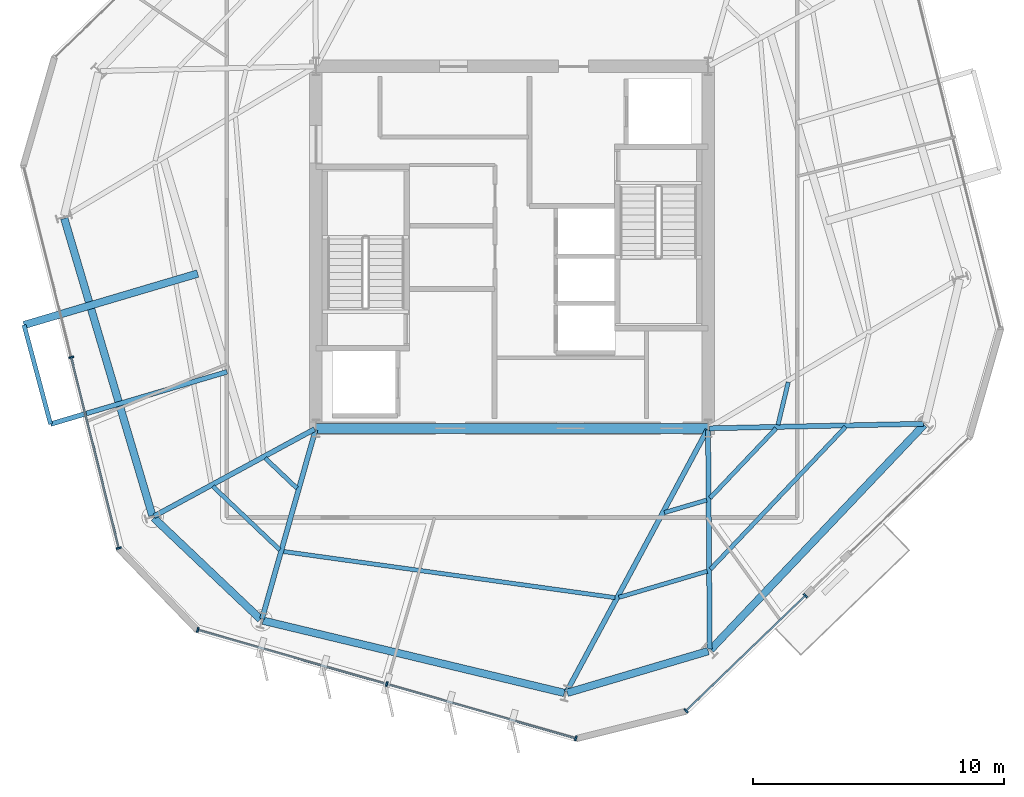
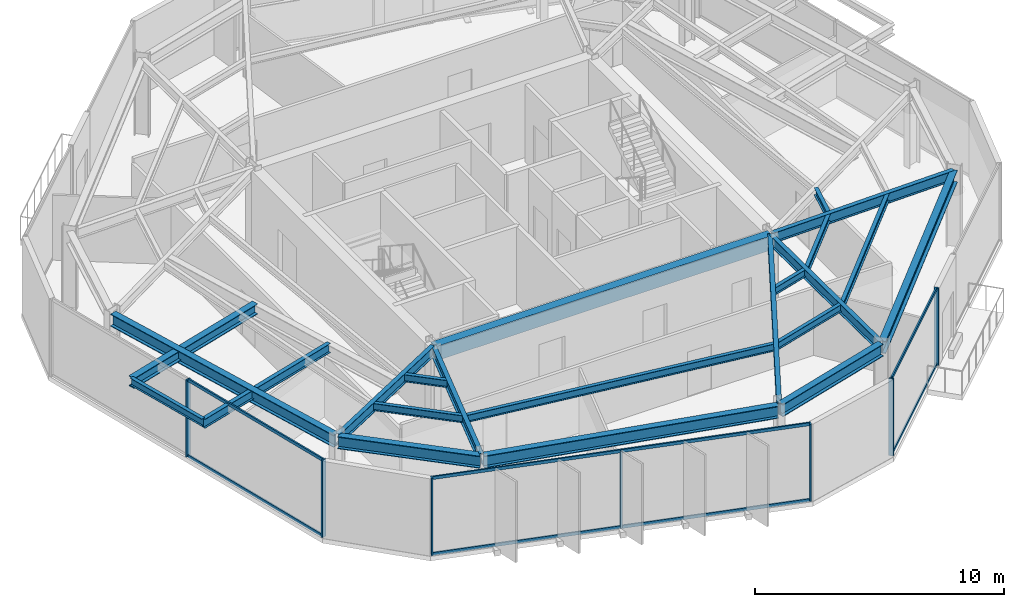
# One storey, part 2 of 10: 22 beams, 15 members, 3 elements without a shape of their own.
"""IFC4 building model written with IfcOpenShell, lengths in metres."""

from ifc_helpers import new_model, si_unit, direction, frame, origin, origin_2d, place, context, subcontext, project, spatial, rectangle, i_section, extrude, material, layer, layer_set, material_profile, profile_set, type_object, element, aggregate, save


model = new_model("IFC4")

# Units and contexts
model_context = context("Model", 3, precision=1e-05, world=origin(), true_north=direction((0.0, 1.0)))
body_context = subcontext(model_context, "Body", "Model", "MODEL_VIEW")
ifc_project = project(units=[si_unit("LENGTHUNIT", "METRE"), si_unit("AREAUNIT", "SQUARE_METRE"), si_unit("VOLUMEUNIT", "CUBIC_METRE"), si_unit("PLANEANGLEUNIT", "RADIAN"), si_unit("MASSUNIT", "GRAM", prefix="KILO")], contexts=[model_context])

# Site, building, storey
site_placement = place(None, origin())
site = spatial("IfcSite", under=ifc_project, at=site_placement, CompositionType="ELEMENT")
building_placement = place(site_placement, origin())
building = spatial("IfcBuilding", under=site, at=building_placement, Name="Kranzbogen Civic Tower", CompositionType="ELEMENT")
storey_placement = place(building_placement, frame((0.0, 0.0, 200.800048828125)))
storey = spatial("IfcBuildingStorey", under=building, at=storey_placement, Name="L48", CompositionType="ELEMENT", Elevation=200.800048828125)

# Beams
ifc_material_1 = material(Name="Steel S355", Category="steel")
ifc_material_profile_1 = material_profile(ifc_material_1, i_section(OverallWidth=0.18994140625, OverallDepth=0.449951171875, WebThickness=0.009521484375, FlangeThickness=0.0146484375, at=origin_2d()), Name="IPE 450")
ifc_profile_set_1 = profile_set([ifc_material_profile_1], Name="Steel S355")
beam_type_1 = type_object("IfcBeamType", Name="Braced Terrace Edge Beam IPE 450", PredefinedType="BEAM", material=ifc_profile_set_1)
beam_1_placement = place(storey_placement, frame((13.662109375, 20.049072265625, 3.52490234375), z_axis=(-0.958810225473, -0.28404744591, 0.0), x_axis=(0.28404744591, -0.958810225473, 0.0)))
element("IfcBeam", 1, at=beam_1_placement, inside=storey, type_object=beam_type_1, Name="L49 back-spanned terrace beam L49-TB2-2", PredefinedType="BEAM", context=body_context, shape_type="SweptSolid", body=[
    extrude(i_section(OverallWidth=0.18994140625, OverallDepth=0.449951171875, WebThickness=0.009521484375, FlangeThickness=0.0146484375, at=origin_2d()), origin(), (0.0, 0.0, 1.0), 7.319580078125),
])
ifc_material_2 = material(Name="Concrete C40/50", Category="concrete")
ifc_material_profile_2 = material_profile(ifc_material_2, rectangle(XDim=0.39990234375, YDim=0.699951171875, at=origin_2d()), Name="RC-BM 400x700")
ifc_profile_set_2 = profile_set([ifc_material_profile_2], Name="Concrete C40/50")
beam_type_2 = type_object("IfcBeamType", Name="Core Coupling Lintel Beam 400x700", PredefinedType="LINTEL", material=ifc_profile_set_2)
beam_2_placement = place(storey_placement, frame((17.199951171875, 17.800048828125, 3.429931640625), z_axis=(1.0, 0.0, 0.0), x_axis=(0.0, 1.0, 0.0)))
element("IfcBeam", 2, at=beam_2_placement, inside=storey, type_object=beam_type_2, Name="L48 core South coupling lintel beam", PredefinedType="LINTEL", context=body_context, shape_type="SweptSolid", body=[
    extrude(rectangle(XDim=0.39990234375, YDim=0.699951171875, at=origin_2d()), origin(), (0.0, 0.0, 1.0), 15.60009765625),
])

# Curtain wall, members
ifc_material_3 = material(Name="Pale Anodised Aluminium", Category="aluminium")
ifc_layer = layer(ifc_material_3, 0.219970703125, Name="Pale Anodised Aluminium")
ifc_layer_set = layer_set([ifc_layer], Name="Pale Anodised Aluminium")
curtain_wall_type = type_object("IfcCurtainWallType", Name="Zone 3 Stick Curtain Wall System CW-04", PredefinedType="USERDEFINED", material=ifc_layer_set)
curtain_wall_1_placement = place(storey_placement, origin())
curtain_wall_1 = element("IfcCurtainWall", 3, at=curtain_wall_1_placement, inside=storey, type_object=curtain_wall_type, Name="L48 curtain wall CW-L48-F3", ObjectType="STICK CURTAIN WALL", PredefinedType="USERDEFINED")
ifc_material_profile_3 = material_profile(ifc_material_3, rectangle(XDim=0.070068359375, YDim=0.199951171875, at=origin_2d()), Name="ALU-M 70x200")
ifc_profile_set_3 = profile_set([ifc_material_profile_3], Name="Pale Anodised Aluminium")
member_type_1 = type_object("IfcMemberType", Name="Curtain Wall Mullion ALU-M 70x200", PredefinedType="MULLION", material=ifc_profile_set_3)
member_1_placement = place(storey_placement, frame((7.465087890625, 20.6279296875, 0.0), z_axis=(0.0, 0.0, 1.0), x_axis=(0.241906467442, -0.970299572817, 0.0)))
member_1 = element("IfcMember", 4, at=member_1_placement, type_object=member_type_1, Name="CW-04 mullion 2", PredefinedType="MULLION", context=body_context, shape_type="SweptSolid", body=[
    extrude(rectangle(XDim=0.070068359375, YDim=0.199951171875, at=origin_2d()), origin(), (0.0, 0.0, 1.0), 3.780029296875),
])
member_2_placement = place(storey_placement, frame((9.357666015625, 13.0361328125, 0.0), z_axis=(0.0, 0.0, 1.0), x_axis=(0.241906467442, -0.970299572817, 0.0)))
member_2 = element("IfcMember", 5, at=member_2_placement, type_object=member_type_1, Name="CW-04 mullion 3", PredefinedType="MULLION", context=body_context, shape_type="SweptSolid", body=[
    extrude(rectangle(XDim=0.070068359375, YDim=0.199951171875, at=origin_2d()), origin(), (0.0, 0.0, 1.0), 3.780029296875),
])

curtain_wall_2_placement = place(storey_placement, origin())
curtain_wall_2 = element("IfcCurtainWall", 6, at=curtain_wall_2_placement, inside=storey, type_object=curtain_wall_type, Name="L48 curtain wall CW-L48-F4", ObjectType="STICK CURTAIN WALL", PredefinedType="USERDEFINED")
member_3_placement = place(storey_placement, frame((12.497802734375, 9.78466796875, 0.0), z_axis=(0.0, 0.0, 1.0), x_axis=(0.961276121822, -0.275587041813, 0.0)))
member_3 = element("IfcMember", 7, at=member_3_placement, type_object=member_type_1, Name="CW-04 mullion 1", PredefinedType="MULLION", context=body_context, shape_type="SweptSolid", body=[
    extrude(rectangle(XDim=0.070068359375, YDim=0.199951171875, at=origin_2d()), origin(), (0.0, 0.0, 1.0), 3.780029296875),
])
member_4_placement = place(storey_placement, frame((20.01904296875, 7.62841796875, 0.0), z_axis=(0.0, 0.0, 1.0), x_axis=(0.961276121822, -0.275587041813, 0.0)))
member_4 = element("IfcMember", 8, at=member_4_placement, type_object=member_type_1, Name="CW-04 mullion 2", PredefinedType="MULLION", context=body_context, shape_type="SweptSolid", body=[
    extrude(rectangle(XDim=0.070068359375, YDim=0.199951171875, at=origin_2d()), origin(), (0.0, 0.0, 1.0), 3.780029296875),
])
member_5_placement = place(storey_placement, frame((27.540283203125, 5.47216796875, 0.0), z_axis=(0.0, 0.0, 1.0), x_axis=(0.961276121822, -0.275587041813, 0.0)))
member_5 = element("IfcMember", 9, at=member_5_placement, type_object=member_type_1, Name="CW-04 mullion 3", PredefinedType="MULLION", context=body_context, shape_type="SweptSolid", body=[
    extrude(rectangle(XDim=0.070068359375, YDim=0.199951171875, at=origin_2d()), origin(), (0.0, 0.0, 1.0), 3.780029296875),
])

curtain_wall_3_placement = place(storey_placement, origin())
curtain_wall_3 = element("IfcCurtainWall", 10, at=curtain_wall_3_placement, inside=storey, type_object=curtain_wall_type, Name="L48 curtain wall CW-L48-F5-S1", ObjectType="STICK CURTAIN WALL", PredefinedType="USERDEFINED")
member_6_placement = place(storey_placement, frame((31.925537109375, 6.56494140625, 0.0), z_axis=(0.0, 0.0, 1.0), x_axis=(0.719321190897, 0.694677640583, 0.0)))
member_6 = element("IfcMember", 11, at=member_6_placement, type_object=member_type_1, Name="CW-04 mullion 1", PredefinedType="MULLION", context=body_context, shape_type="SweptSolid", body=[
    extrude(rectangle(XDim=0.070068359375, YDim=0.199951171875, at=origin_2d()), origin(), (0.0, 0.0, 1.0), 3.780029296875),
])
member_7_placement = place(storey_placement, frame((36.66943359375, 11.146240234375, 0.0), z_axis=(0.0, 0.0, 1.0), x_axis=(0.719321190897, 0.694677640583, 0.0)))
member_7 = element("IfcMember", 12, at=member_7_placement, type_object=member_type_1, Name="CW-04 mullion 2", PredefinedType="MULLION", context=body_context, shape_type="SweptSolid", body=[
    extrude(rectangle(XDim=0.070068359375, YDim=0.199951171875, at=origin_2d()), origin(), (0.0, 0.0, 1.0), 3.780029296875),
])

# Member
ifc_material_profile_4 = material_profile(ifc_material_3, rectangle(XDim=0.070068359375, YDim=0.14990234375, at=origin_2d()), Name="ALU-T 70x150")
ifc_profile_set_4 = profile_set([ifc_material_profile_4], Name="Pale Anodised Aluminium")
member_type_2 = type_object("IfcMemberType", Name="Curtain Wall Transom ALU-T 70x150", PredefinedType="USERDEFINED", material=ifc_profile_set_4)
member_8_placement = place(storey_placement, frame((7.47216796875, 20.598876953125, 0.030029296875), z_axis=(0.241928896486, -0.970293980732, 0.0), x_axis=(0.970293980732, 0.241928896486, 0.0)))
member_8 = element("IfcMember", 13, at=member_8_placement, type_object=member_type_2, Name="CW-04 transom 2.1", ObjectType="TRANSOM", PredefinedType="USERDEFINED", context=body_context, shape_type="SweptSolid", body=[
    extrude(rectangle(XDim=0.070068359375, YDim=0.14990234375, at=origin_2d()), origin(), (0.0, 0.0, 1.0), 7.764404296875),
])

member_9_placement = place(storey_placement, frame((7.47216796875, 20.598876953125, 3.75), z_axis=(0.241928896486, -0.970293980732, 0.0), x_axis=(0.970293980732, 0.241928896486, 0.0)))
member_9 = element("IfcMember", 14, at=member_9_placement, type_object=member_type_2, Name="CW-04 transom 2.2", ObjectType="TRANSOM", PredefinedType="USERDEFINED", context=body_context, shape_type="SweptSolid", body=[
    extrude(rectangle(XDim=0.070068359375, YDim=0.14990234375, at=origin_2d()), origin(), (0.0, 0.0, 1.0), 7.764404296875),
])

aggregate(curtain_wall_1, [member_1, member_2, member_8, member_9])

member_10_placement = place(storey_placement, frame((12.526611328125, 9.7763671875, 0.030029296875), z_axis=(0.961279133265, -0.27557653737, 0.0), x_axis=(0.27557653737, 0.961279133265, 0.0)))
member_10 = element("IfcMember", 15, at=member_10_placement, type_object=member_type_2, Name="CW-04 transom 1.1", ObjectType="TRANSOM", PredefinedType="USERDEFINED", context=body_context, shape_type="SweptSolid", body=[
    extrude(rectangle(XDim=0.070068359375, YDim=0.14990234375, at=origin_2d()), origin(), (0.0, 0.0, 1.0), 7.76416015625),
])

member_11_placement = place(storey_placement, frame((12.526611328125, 9.7763671875, 3.75), z_axis=(0.961279133265, -0.27557653737, 0.0), x_axis=(0.27557653737, 0.961279133265, 0.0)))
member_11 = element("IfcMember", 16, at=member_11_placement, type_object=member_type_2, Name="CW-04 transom 1.2", ObjectType="TRANSOM", PredefinedType="USERDEFINED", context=body_context, shape_type="SweptSolid", body=[
    extrude(rectangle(XDim=0.070068359375, YDim=0.14990234375, at=origin_2d()), origin(), (0.0, 0.0, 1.0), 7.76416015625),
])

member_12_placement = place(storey_placement, frame((20.0478515625, 7.6201171875, 0.030029296875), z_axis=(0.961276745212, -0.275584867355, 0.0), x_axis=(0.275584867355, 0.961276745212, 0.0)))
member_12 = element("IfcMember", 17, at=member_12_placement, type_object=member_type_2, Name="CW-04 transom 2.1", ObjectType="TRANSOM", PredefinedType="USERDEFINED", context=body_context, shape_type="SweptSolid", body=[
    extrude(rectangle(XDim=0.070068359375, YDim=0.14990234375, at=origin_2d()), origin(), (0.0, 0.0, 1.0), 7.763916015625),
])

member_13_placement = place(storey_placement, frame((20.0478515625, 7.6201171875, 3.75), z_axis=(0.961276745212, -0.275584867355, 0.0), x_axis=(0.275584867355, 0.961276745212, 0.0)))
member_13 = element("IfcMember", 18, at=member_13_placement, type_object=member_type_2, Name="CW-04 transom 2.2", ObjectType="TRANSOM", PredefinedType="USERDEFINED", context=body_context, shape_type="SweptSolid", body=[
    extrude(rectangle(XDim=0.070068359375, YDim=0.14990234375, at=origin_2d()), origin(), (0.0, 0.0, 1.0), 7.763916015625),
])

aggregate(curtain_wall_2, [member_3, member_4, member_5, member_10, member_11, member_12, member_13])

member_14_placement = place(storey_placement, frame((31.947265625, 6.585693359375, 0.030029296875), z_axis=(0.719328070207, 0.694670517161, 0.0), x_axis=(-0.694670517161, 0.719328070207, 0.0)))
member_14 = element("IfcMember", 19, at=member_14_placement, type_object=member_type_2, Name="CW-04 transom 1.1", ObjectType="TRANSOM", PredefinedType="USERDEFINED", context=body_context, shape_type="SweptSolid", body=[
    extrude(rectangle(XDim=0.070068359375, YDim=0.14990234375, at=origin_2d()), origin(), (0.0, 0.0, 1.0), 6.534912109375),
])

member_15_placement = place(storey_placement, frame((31.947265625, 6.585693359375, 3.75), z_axis=(0.719328070207, 0.694670517161, 0.0), x_axis=(-0.694670517161, 0.719328070207, 0.0)))
member_15 = element("IfcMember", 20, at=member_15_placement, type_object=member_type_2, Name="CW-04 transom 1.2", ObjectType="TRANSOM", PredefinedType="USERDEFINED", context=body_context, shape_type="SweptSolid", body=[
    extrude(rectangle(XDim=0.070068359375, YDim=0.14990234375, at=origin_2d()), origin(), (0.0, 0.0, 1.0), 6.534912109375),
])

aggregate(curtain_wall_3, [member_6, member_7, member_14, member_15])

# Beams
ifc_material_profile_5 = material_profile(ifc_material_1, i_section(OverallWidth=0.300048828125, OverallDepth=0.5, WebThickness=0.014404296875, FlangeThickness=0.028076171875, at=origin_2d()), Name="HEB 500")
ifc_profile_set_5 = profile_set([ifc_material_profile_5], Name="Steel S355")
beam_type_3 = type_object("IfcBeamType", Name="Perimeter Tube Spandrel Beam HEB 500", PredefinedType="SPANDREL", material=ifc_profile_set_5)
beam_3_placement = place(storey_placement, frame((12.49609375, 23.9580078125, 3.5), z_axis=(-0.958788882695, -0.284119479128, 0.0), x_axis=(0.284119479128, -0.958788882695, 0.0)))
element("IfcBeam", 21, at=beam_3_placement, inside=storey, type_object=beam_type_3, Name="L49 back-spanned terrace beam L49-TB2-1", PredefinedType="SPANDREL", context=body_context, shape_type="SweptSolid", body=[
    extrude(i_section(OverallWidth=0.300048828125, OverallDepth=0.5, WebThickness=0.014404296875, FlangeThickness=0.028076171875, at=origin_2d()), origin(), (0.0, 0.0, 1.0), 7.205078125),
])
ifc_material_profile_6 = material_profile(ifc_material_1, i_section(OverallWidth=0.300048828125, OverallDepth=0.60009765625, WebThickness=0.015380859375, FlangeThickness=0.030029296875, at=origin_2d()), Name="HEB 600")
ifc_profile_set_6 = profile_set([ifc_material_profile_6], Name="Steel S355")
beam_type_4 = type_object("IfcBeamType", Name="Perimeter Tube Spandrel Beam HEB 600", PredefinedType="SPANDREL", material=ifc_profile_set_6)
beam_4_placement = place(storey_placement, frame((10.7509765625, 14.235107421875, 3.47998046875), z_axis=(0.725245206788, -0.688490660816, 0.0), x_axis=(0.688490660816, 0.725245206788, 0.0)))
element("IfcBeam", 22, at=beam_4_placement, inside=storey, type_object=beam_type_4, Name="L48 perimeter spandrel beam 01", PredefinedType="SPANDREL", context=body_context, shape_type="SweptSolid", body=[
    extrude(i_section(OverallWidth=0.300048828125, OverallDepth=0.60009765625, WebThickness=0.015380859375, FlangeThickness=0.030029296875, at=origin_2d()), origin(), (0.0, 0.0, 1.0), 5.85205078125),
])
beam_5_placement = place(storey_placement, frame((15.096923828125, 10.15087890625, 3.47998046875), z_axis=(0.972377592092, -0.233413406637, 0.0), x_axis=(0.233413406637, 0.972377592092, 0.0)))
element("IfcBeam", 23, at=beam_5_placement, inside=storey, type_object=beam_type_4, Name="L48 perimeter spandrel beam 02", PredefinedType="SPANDREL", context=body_context, shape_type="SweptSolid", body=[
    extrude(i_section(OverallWidth=0.300048828125, OverallDepth=0.60009765625, WebThickness=0.015380859375, FlangeThickness=0.030029296875, at=origin_2d()), origin(), (0.0, 0.0, 1.0), 12.32568359375),
])
beam_6_placement = place(storey_placement, frame((27.197998046875, 7.277099609375, 3.47998046875), z_axis=(0.9588296723, 0.283981794341, 0.0), x_axis=(-0.283981794341, 0.9588296723, 0.0)))
element("IfcBeam", 24, at=beam_6_placement, inside=storey, type_object=beam_type_4, Name="L48 perimeter spandrel beam 03", PredefinedType="SPANDREL", context=body_context, shape_type="SweptSolid", body=[
    extrude(i_section(OverallWidth=0.300048828125, OverallDepth=0.60009765625, WebThickness=0.015380859375, FlangeThickness=0.030029296875, at=origin_2d()), origin(), (0.0, 0.0, 1.0), 5.85205078125),
])
beam_7_placement = place(storey_placement, frame((32.907958984375, 9.0, 3.47998046875), z_axis=(0.688373497874, 0.725356414065, 0.0), x_axis=(-0.725356414065, 0.688373497874, 0.0)))
element("IfcBeam", 25, at=beam_7_placement, inside=storey, type_object=beam_type_4, Name="L48 perimeter spandrel beam 04", PredefinedType="SPANDREL", context=body_context, shape_type="SweptSolid", body=[
    extrude(i_section(OverallWidth=0.300048828125, OverallDepth=0.60009765625, WebThickness=0.015380859375, FlangeThickness=0.030029296875, at=origin_2d()), origin(), (0.0, 0.0, 1.0), 12.324951171875),
])
beam_8_placement = place(storey_placement, frame((7.18896484375, 26.15087890625, 3.47998046875), z_axis=(0.284064048956, -0.958805306666, 0.0), x_axis=(0.958805306666, 0.284064048956, 0.0)))
element("IfcBeam", 26, at=beam_8_placement, inside=storey, type_object=beam_type_4, Name="L48 perimeter spandrel beam 12", PredefinedType="SPANDREL", context=body_context, shape_type="SweptSolid", body=[
    extrude(i_section(OverallWidth=0.300048828125, OverallDepth=0.60009765625, WebThickness=0.015380859375, FlangeThickness=0.030029296875, at=origin_2d()), origin(), (0.0, 0.0, 1.0), 12.32470703125),
])
ifc_material_profile_7 = material_profile(ifc_material_1, i_section(OverallWidth=0.199951171875, OverallDepth=0.5, WebThickness=0.01025390625, FlangeThickness=0.01611328125, at=origin_2d()), Name="IPE 500")
ifc_profile_set_7 = profile_set([ifc_material_profile_7], Name="Steel S355")
beam_type_5 = type_object("IfcBeamType", Name="Radial Tower Floor Girder IPE 500", PredefinedType="BEAM", material=ifc_profile_set_7)
beam_9_placement = place(storey_placement, frame((10.760009765625, 14.304931640625, 3.530029296875), z_axis=(0.878919430102, 0.476970266777, 0.0), x_axis=(-0.476970266777, 0.878919430102, 0.0)))
element("IfcBeam", 27, at=beam_9_placement, inside=storey, type_object=beam_type_5, Name="L48 radial floor girder 01", PredefinedType="BEAM", context=body_context, shape_type="SweptSolid", body=[
    extrude(i_section(OverallWidth=0.199951171875, OverallDepth=0.5, WebThickness=0.01025390625, FlangeThickness=0.01611328125, at=origin_2d()), origin(), (0.0, 0.0, 1.0), 7.266845703125),
])
beam_10_placement = place(storey_placement, frame((15.054931640625, 10.222900390625, 3.530029296875), z_axis=(0.272455078988, 0.962168503919, 0.0), x_axis=(-0.962168503919, 0.272455078988, 0.0)))
element("IfcBeam", 28, at=beam_10_placement, inside=storey, type_object=beam_type_5, Name="L48 radial floor girder 02", PredefinedType="BEAM", context=body_context, shape_type="SweptSolid", body=[
    extrude(i_section(OverallWidth=0.199951171875, OverallDepth=0.5, WebThickness=0.01025390625, FlangeThickness=0.01611328125, at=origin_2d()), origin(), (0.0, 0.0, 1.0), 7.814697265625),
])
beam_11_placement = place(storey_placement, frame((27.16796875, 7.31298828125, 3.530029296875), z_axis=(0.473160413549, 0.880976289721, 0.0), x_axis=(-0.880976289721, 0.473160413549, 0.0)))
element("IfcBeam", 29, at=beam_11_placement, inside=storey, type_object=beam_type_5, Name="L48 radial floor girder 03", PredefinedType="BEAM", context=body_context, shape_type="SweptSolid", body=[
    extrude(i_section(OverallWidth=0.199951171875, OverallDepth=0.5, WebThickness=0.01025390625, FlangeThickness=0.01611328125, at=origin_2d()), origin(), (0.0, 0.0, 1.0), 11.84375),
])
beam_12_placement = place(storey_placement, frame((32.866943359375, 9.01611328125, 3.530029296875), z_axis=(-0.007667756557, 0.999970602323, 0.0), x_axis=(-0.999970602323, -0.007667756557, 0.0)))
element("IfcBeam", 30, at=beam_12_placement, inside=storey, type_object=beam_type_5, Name="L48 radial floor girder 04", PredefinedType="BEAM", context=body_context, shape_type="SweptSolid", body=[
    extrude(i_section(OverallWidth=0.199951171875, OverallDepth=0.5, WebThickness=0.01025390625, FlangeThickness=0.01611328125, at=origin_2d()), origin(), (0.0, 0.0, 1.0), 8.72412109375),
])
beam_13_placement = place(storey_placement, frame((41.373046875, 17.98291015625, 3.530029296875), z_axis=(-0.99977183191, -0.021360808018, 0.0), x_axis=(0.021360808018, -0.99977183191, 0.0)))
element("IfcBeam", 31, at=beam_13_placement, inside=storey, type_object=beam_type_5, Name="L48 radial floor girder 05", PredefinedType="BEAM", context=body_context, shape_type="SweptSolid", body=[
    extrude(i_section(OverallWidth=0.199951171875, OverallDepth=0.5, WebThickness=0.01025390625, FlangeThickness=0.01611328125, at=origin_2d()), origin(), (0.0, 0.0, 1.0), 8.514892578125),
])
ifc_material_profile_8 = material_profile(ifc_material_1, i_section(OverallWidth=0.169921875, OverallDepth=0.360107421875, WebThickness=0.008056640625, FlangeThickness=0.0126953125, at=origin_2d()), Name="IPE 360")
ifc_profile_set_8 = profile_set([ifc_material_profile_8], Name="Steel S355")
beam_type_6 = type_object("IfcBeamType", Name="Secondary Composite Floor Joist IPE 360", PredefinedType="JOIST", material=ifc_profile_set_8)
beam_14_placement = place(storey_placement, frame((13.10302734375, 15.489990234375, 3.599853515625), z_axis=(0.725300648604, -0.688432254572, 0.0), x_axis=(0.688432254572, 0.725300648604, 0.0)))
element("IfcBeam", 32, at=beam_14_placement, inside=storey, type_object=beam_type_6, Name="L48 secondary floor joist 1.01", PredefinedType="JOIST", context=body_context, shape_type="SweptSolid", body=[
    extrude(i_section(OverallWidth=0.169921875, OverallDepth=0.360107421875, WebThickness=0.008056640625, FlangeThickness=0.0126953125, at=origin_2d()), origin(), (0.0, 0.0, 1.0), 3.661865234375),
])
beam_15_placement = place(storey_placement, frame((15.179931640625, 16.616943359375, 3.599853515625), z_axis=(0.725479767774, -0.688243493649, 0.0), x_axis=(0.688243493649, 0.725479767774, 0.0)))
element("IfcBeam", 33, at=beam_15_placement, inside=storey, type_object=beam_type_6, Name="L48 secondary floor joist 2.01", PredefinedType="JOIST", context=body_context, shape_type="SweptSolid", body=[
    extrude(i_section(OverallWidth=0.169921875, OverallDepth=0.360107421875, WebThickness=0.008056640625, FlangeThickness=0.0126953125, at=origin_2d()), origin(), (0.0, 0.0, 1.0), 1.75048828125),
])
beam_16_placement = place(storey_placement, frame((15.89599609375, 12.903076171875, 3.599853515625), z_axis=(0.990445837232, -0.137902296968, 0.0), x_axis=(0.137902296968, 0.990445837232, 0.0)))
element("IfcBeam", 34, at=beam_16_placement, inside=storey, type_object=beam_type_6, Name="L48 secondary floor joist 1.02", PredefinedType="JOIST", context=body_context, shape_type="SweptSolid", body=[
    extrude(i_section(OverallWidth=0.169921875, OverallDepth=0.360107421875, WebThickness=0.008056640625, FlangeThickness=0.0126953125, at=origin_2d()), origin(), (0.0, 0.0, 1.0), 13.329345703125),
])
beam_17_placement = place(storey_placement, frame((29.25390625, 11.076904296875, 3.599853515625), z_axis=(0.958843823165, 0.283934011309, 0.0), x_axis=(-0.283934011309, 0.958843823165, 0.0)))
element("IfcBeam", 35, at=beam_17_placement, inside=storey, type_object=beam_type_6, Name="L48 secondary floor joist 1.03", PredefinedType="JOIST", context=body_context, shape_type="SweptSolid", body=[
    extrude(i_section(OverallWidth=0.169921875, OverallDepth=0.360107421875, WebThickness=0.008056640625, FlangeThickness=0.0126953125, at=origin_2d()), origin(), (0.0, 0.0, 1.0), 3.662841796875),
])
beam_18_placement = place(storey_placement, frame((31.06591796875, 14.449951171875, 3.599853515625), z_axis=(0.958871214757, 0.283841493638, 0.0), x_axis=(-0.283841493638, 0.958871214757, 0.0)))
element("IfcBeam", 36, at=beam_18_placement, inside=storey, type_object=beam_type_6, Name="L48 secondary floor joist 2.03", PredefinedType="JOIST", context=body_context, shape_type="SweptSolid", body=[
    extrude(i_section(OverallWidth=0.169921875, OverallDepth=0.360107421875, WebThickness=0.008056640625, FlangeThickness=0.0126953125, at=origin_2d()), origin(), (0.0, 0.0, 1.0), 1.751220703125),
])
beam_19_placement = place(storey_placement, frame((32.89794921875, 12.197998046875, 3.599853515625), z_axis=(0.688282381634, 0.725442873789, 0.0), x_axis=(-0.725442873789, 0.688282381634, 0.0)))
element("IfcBeam", 37, at=beam_19_placement, inside=storey, type_object=beam_type_6, Name="L48 secondary floor joist 1.04", PredefinedType="JOIST", context=body_context, shape_type="SweptSolid", body=[
    extrude(i_section(OverallWidth=0.169921875, OverallDepth=0.360107421875, WebThickness=0.008056640625, FlangeThickness=0.0126953125, at=origin_2d()), origin(), (0.0, 0.0, 1.0), 7.804931640625),
])
beam_20_placement = place(storey_placement, frame((32.876953125, 15.028076171875, 3.599853515625), z_axis=(0.688175084876, 0.725544659243, 0.0), x_axis=(-0.725544659243, 0.688175084876, 0.0)))
element("IfcBeam", 38, at=beam_20_placement, inside=storey, type_object=beam_type_6, Name="L48 secondary floor joist 2.04", PredefinedType="JOIST", context=body_context, shape_type="SweptSolid", body=[
    extrude(i_section(OverallWidth=0.169921875, OverallDepth=0.360107421875, WebThickness=0.008056640625, FlangeThickness=0.0126953125, at=origin_2d()), origin(), (0.0, 0.0, 1.0), 3.82177734375),
])
beam_21_placement = place(storey_placement, frame((35.5810546875, 17.93701171875, 3.599853515625), z_axis=(0.233631438607, 0.972325228972, 0.0), x_axis=(-0.972325228972, 0.233631438607, 0.0)))
element("IfcBeam", 39, at=beam_21_placement, inside=storey, type_object=beam_type_6, Name="L48 secondary floor joist 2.05", PredefinedType="JOIST", context=body_context, shape_type="SweptSolid", body=[
    extrude(i_section(OverallWidth=0.169921875, OverallDepth=0.360107421875, WebThickness=0.008056640625, FlangeThickness=0.0126953125, at=origin_2d()), origin(), (0.0, 0.0, 1.0), 1.750244140625),
])
beam_22_placement = place(storey_placement, frame((5.587890625, 21.910888671875, 3.570068359375), z_axis=(0.258861706671, -0.965914394147, 0.0), x_axis=(0.965914394147, 0.258861706671, 0.0)))
element("IfcBeam", 40, at=beam_22_placement, inside=storey, type_object=beam_type_6, Name="L49 terrace outer edge trimmer L49-TB2", PredefinedType="JOIST", context=body_context, shape_type="SweptSolid", body=[
    extrude(i_section(OverallWidth=0.169921875, OverallDepth=0.360107421875, WebThickness=0.008056640625, FlangeThickness=0.0126953125, at=origin_2d()), origin(), (0.0, 0.0, 1.0), 4.080078125),
])

save(model, "model.ifc")
